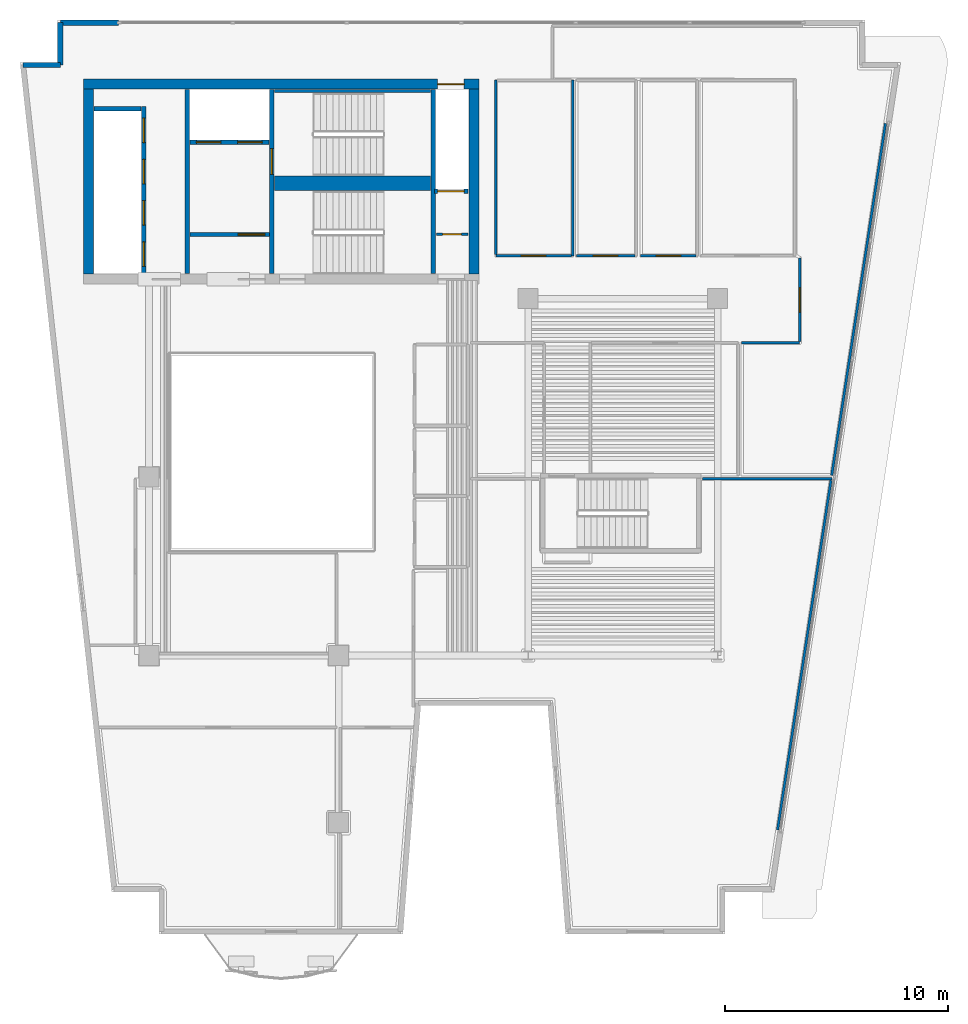
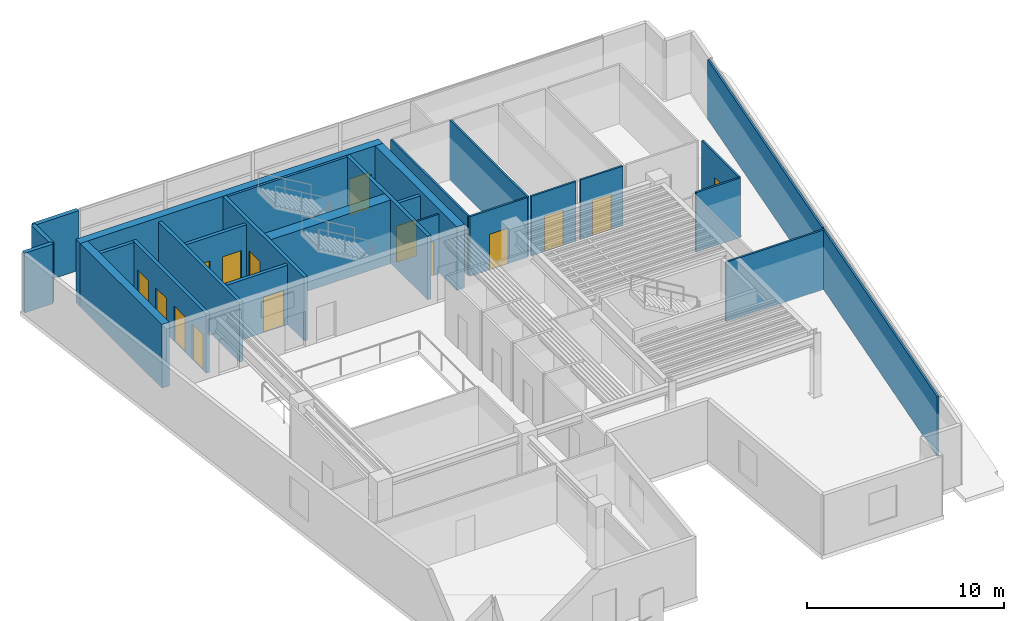
# One storey, part 5 of 8: 27 walls, 15 doors, 15 openings.
"""IFC4 building model written with IfcOpenShell, lengths in metres."""

from ifc_helpers import new_model, si_unit, direction, frame, frame_2d, origin, place, context, subcontext, project, spatial, rectangle, extrude, material, layer, layer_set, type_object, element, fill, save


model = new_model("IFC4")

# Units and contexts
model_context = context("Model", 3, precision=1e-05, world=origin(), true_north=direction((0.0, 1.0)))
body_context = subcontext(model_context, "Body", "Model", "MODEL_VIEW")
ifc_project = project(units=[si_unit("LENGTHUNIT", "METRE"), si_unit("AREAUNIT", "SQUARE_METRE"), si_unit("VOLUMEUNIT", "CUBIC_METRE"), si_unit("PLANEANGLEUNIT", "RADIAN"), si_unit("MASSUNIT", "GRAM", prefix="KILO")], contexts=[model_context])

# Site, building, storey
site_placement = place(None, origin())
site = spatial("IfcSite", under=ifc_project, at=site_placement, CompositionType="ELEMENT")
building_placement = place(site_placement, origin())
building = spatial("IfcBuilding", under=site, at=building_placement, Name="Caeloran Harvest Quay", CompositionType="ELEMENT")
storey_placement = place(building_placement, frame((0.0, 0.0, 235.10009765625)))
storey = spatial("IfcBuildingStorey", under=building, at=storey_placement, Name="L56", CompositionType="ELEMENT", Elevation=235.10009765625)

# Walls
ifc_material_1 = material(Name="Precast concrete C50/60", Category="concrete")
ifc_layer_1 = layer(ifc_material_1, 0.239990234375, Name="Precast concrete C50/60")
ifc_layer_set_1 = layer_set([ifc_layer_1], Name="Precast concrete C50/60")
wall_type_1 = type_object("IfcWallType", Name="ENV-WALL-EW-240", PredefinedType="STANDARD", material=ifc_layer_set_1)
wall_1_placement = place(storey_placement, frame((2.84423828125, 41.47998046875, 0.0), z_axis=(0.0, 0.0, 1.0), x_axis=(1.0, 0.0, 0.0)))
element("IfcWall", 1, at=wall_1_placement, inside=storey, type_object=wall_type_1, Name="L56 Exterior Precast Concrete Facade Wall 4", PredefinedType="STANDARD", context=body_context, shape_type="SweptSolid", body=[
    extrude(rectangle(XDim=1.67578125, YDim=0.239990234375, at=frame_2d((0.837890625, 0.0))), origin(), (0.0, 0.0, 1.0), 3.699951171875),
])
wall_2_placement = place(storey_placement, frame((4.52001953125, 41.47998046875, 0.0), z_axis=(0.0, 0.0, 1.0), x_axis=(0.0, 1.0, 0.0)))
element("IfcWall", 2, at=wall_2_placement, inside=storey, type_object=wall_type_1, Name="L56 Exterior Precast Concrete Facade Wall 5", PredefinedType="STANDARD", context=body_context, shape_type="SweptSolid", body=[
    extrude(rectangle(XDim=1.89990234375, YDim=0.239990234375, at=frame_2d((0.949951171875, 0.0))), origin(), (0.0, 0.0, 1.0), 3.699951171875),
])
wall_3_placement = place(storey_placement, frame((4.52001953125, 43.3798828125, 0.0), z_axis=(0.0, 0.0, 1.0), x_axis=(1.0, 0.0, 0.0)))
element("IfcWall", 3, at=wall_3_placement, inside=storey, type_object=wall_type_1, Name="L56 Exterior Facade Corner Pier Wall 6A", PredefinedType="STANDARD", context=body_context, shape_type="SweptSolid", body=[
    extrude(rectangle(XDim=2.60009765625, YDim=0.239990234375, at=frame_2d((1.300048828125, 0.0))), origin(), (0.0, 0.0, 1.0), 3.699951171875),
])

# Wall, opening, door
ifc_material_2 = material(Name="Fire-Resisting Gypsum Core Riser Partition", Category="gypsum")
ifc_layer_2 = layer(ifc_material_2, 0.10009765625, Name="Fire-Resisting Gypsum Core Riser Partition")
ifc_layer_set_2 = layer_set([ifc_layer_2], Name="Fire-Resisting Gypsum Core Riser Partition")
wall_type_2 = type_object("IfcWallType", Name="INT-WALL-PW-100", PredefinedType="PARTITIONING", material=ifc_layer_set_2)
wall_4_placement = place(storey_placement, frame((21.3798828125, 33.889892578125, 0.0), z_axis=(0.0, 0.0, 1.0), x_axis=(1.0, 0.0, 0.0)))
wall_4 = element("IfcWall", 4, at=wall_4_placement, inside=storey, type_object=wall_type_2, Name="L56 Cleaner Store Partition Wall", PredefinedType="PARTITIONING", context=body_context, shape_type="SweptSolid", body=[
    extrude(rectangle(XDim=1.420166015625, YDim=0.10009765625, at=frame_2d((0.7099609375, 0.0))), origin(), (0.0, 0.0, 1.0), 3.699951171875),
])
opening_1_placement = place(wall_4_placement, frame((0.280029296875, 0.0, 0.0)))
opening_1 = element("IfcOpeningElement", 5, at=opening_1_placement, cuts=wall_4, Name="Opening SV-01", PredefinedType="OPENING", context=body_context, shape_type="SweptSolid", body=[
    extrude(rectangle(XDim=0.85009765625, YDim=2.10009765625, at=frame_2d((0.425048828125, 1.050048828125))), frame((0.0, 0.06005859375, 0.0), z_axis=(0.0, -1.0, 0.0), x_axis=(1.0, 0.0, 0.0)), (0.0, 0.0, 1.0), 0.1201171875),
])
ifc_material_3 = material(Name="Galvanized Painted Steel", Category="steel")
door_type_1 = type_object("IfcDoorType", Name="INTDOOR-SV-01", OperationType="NOTDEFINED", PredefinedType="DOOR", material=ifc_material_3)
door_1_placement = place(opening_1_placement, origin())
door_1 = element("IfcDoor", 6, at=door_1_placement, inside=storey, type_object=door_type_1, Name="L56 Cleaner Supply Store Access Door", OperationType="SINGLE_SWING_RIGHT", OverallHeight=2.10009765625, OverallWidth=0.85009765625, PredefinedType="DOOR", context=body_context, shape_type="SweptSolid", body=[
    extrude(rectangle(XDim=0.85009765625, YDim=2.10009765625, at=frame_2d((0.425048828125, 1.050048828125))), frame((0.0, 0.02490234375, 0.0), z_axis=(0.0, -1.0, 0.0), x_axis=(1.0, 0.0, 0.0)), (0.0, 0.0, 1.0), 0.050048828125),
])
fill(opening_1, door_1)

# Wall
ifc_material_4 = material(Name="Single-Stud Acoustic Gypsum Office Partition", Category="gypsum")
ifc_layer_3 = layer(ifc_material_4, 0.112060546875, Name="Single-Stud Acoustic Gypsum Office Partition")
ifc_layer_set_3 = layer_set([ifc_layer_3], Name="Single-Stud Acoustic Gypsum Office Partition")
wall_type_3 = type_object("IfcWallType", Name="INT-WALL-PW-112", PredefinedType="PARTITIONING", material=ifc_layer_set_3)
wall_5_placement = place(storey_placement, frame((27.5, 40.800048828125, 0.0), z_axis=(0.0, 0.0, 1.0), x_axis=(0.0, -1.0, 0.0)))
element("IfcWall", 7, at=wall_5_placement, inside=storey, type_object=wall_type_3, Name="L56 Bioinformatics Briefing Lounge Partition Wall", PredefinedType="PARTITIONING", context=body_context, shape_type="SweptSolid", body=[
    extrude(rectangle(XDim=7.880126953125, YDim=0.112060546875, at=frame_2d((3.93994140625, 0.0))), origin(), (0.0, 0.0, 1.0), 3.699951171875),
])

# Wall, opening, door
wall_6_placement = place(storey_placement, frame((27.43896484375, 32.919921875, 0.0), z_axis=(0.0, 0.0, 1.0), x_axis=(-1.0, 0.0, 0.0)))
wall_6 = element("IfcWall", 8, at=wall_6_placement, inside=storey, type_object=wall_type_3, Name="L56 Bioinformatics Briefing Lounge Partition Wall", PredefinedType="PARTITIONING", context=body_context, shape_type="SweptSolid", body=[
    extrude(rectangle(XDim=3.388916015625, YDim=0.112060546875, at=frame_2d((1.6943359375, 0.0))), origin(), (0.0, 0.0, 1.0), 3.699951171875),
])
opening_2_placement = place(wall_6_placement, frame((1.14453125, 0.0, 0.0)))
opening_2 = element("IfcOpeningElement", 9, at=opening_2_placement, cuts=wall_6, Name="Opening ID-04", PredefinedType="OPENING", context=body_context, shape_type="SweptSolid", body=[
    extrude(rectangle(XDim=1.10009765625, YDim=2.199951171875, at=frame_2d((0.550048828125, 1.10009765625))), frame((0.0, 0.06591796875, 0.0), z_axis=(0.0, -1.0, 0.0), x_axis=(1.0, 0.0, 0.0)), (0.0, 0.0, 1.0), 0.132080078125),
])
ifc_material_5 = material(Name="Acoustic Walnut Veneer Executive Door", Category="wood")
door_type_2 = type_object("IfcDoorType", Name="INTDOOR-ID-04", OperationType="NOTDEFINED", PredefinedType="DOOR", material=ifc_material_5)
door_2_placement = place(opening_2_placement, origin())
door_2 = element("IfcDoor", 10, at=door_2_placement, inside=storey, type_object=door_type_2, Name="L56 Bioinformatics Briefing Lounge Access Door", OperationType="SINGLE_SWING_LEFT", OverallHeight=2.199951171875, OverallWidth=1.10009765625, PredefinedType="DOOR", context=body_context, shape_type="SweptSolid", body=[
    extrude(rectangle(XDim=1.10009765625, YDim=2.199951171875, at=frame_2d((0.550048828125, 1.10009765625))), frame((0.0, 0.02490234375, 0.0), z_axis=(0.0, -1.0, 0.0), x_axis=(1.0, 0.0, 0.0)), (0.0, 0.0, 1.0), 0.050048828125),
])
fill(opening_2, door_2)

# Wall
wall_7_placement = place(storey_placement, frame((24.050048828125, 32.98095703125, 0.0), z_axis=(0.0, 0.0, 1.0), x_axis=(0.0, 1.0, 0.0)))
element("IfcWall", 11, at=wall_7_placement, inside=storey, type_object=wall_type_3, Name="L56 Bioinformatics Briefing Lounge Partition Wall", PredefinedType="PARTITIONING", context=body_context, shape_type="SweptSolid", body=[
    extrude(rectangle(XDim=7.819091796875, YDim=0.112060546875, at=frame_2d((3.90966796875, 0.0))), origin(), (0.0, 0.0, 1.0), 3.699951171875),
])

# Wall, opening, door
wall_8_placement = place(storey_placement, frame((30.2890625, 32.919921875, 0.0), z_axis=(0.0, 0.0, 1.0), x_axis=(-1.0, 0.0, 0.0)))
wall_8 = element("IfcWall", 12, at=wall_8_placement, inside=storey, type_object=wall_type_3, Name="L56 Seed Imaging Laboratory Partition Wall", PredefinedType="PARTITIONING", context=body_context, shape_type="SweptSolid", body=[
    extrude(rectangle(XDim=2.629150390625, YDim=0.112060546875, at=frame_2d((1.314453125, 0.0))), origin(), (0.0, 0.0, 1.0), 3.699951171875),
])
opening_3_placement = place(wall_8_placement, frame((0.764404296875, 0.0, 0.0)))
opening_3 = element("IfcOpeningElement", 13, at=opening_3_placement, cuts=wall_8, Name="Opening ID-04", PredefinedType="OPENING", context=body_context, shape_type="SweptSolid", body=[
    extrude(rectangle(XDim=1.10009765625, YDim=2.199951171875, at=frame_2d((0.550048828125, 1.10009765625))), frame((0.0, 0.06591796875, 0.0), z_axis=(0.0, -1.0, 0.0), x_axis=(1.0, 0.0, 0.0)), (0.0, 0.0, 1.0), 0.132080078125),
])
door_3_placement = place(opening_3_placement, origin())
door_3 = element("IfcDoor", 14, at=door_3_placement, inside=storey, type_object=door_type_2, Name="L56 Seed Imaging Laboratory Access Door", OperationType="SINGLE_SWING_RIGHT", OverallHeight=2.199951171875, OverallWidth=1.10009765625, PredefinedType="DOOR", context=body_context, shape_type="SweptSolid", body=[
    extrude(rectangle(XDim=1.10009765625, YDim=2.199951171875, at=frame_2d((0.550048828125, 1.10009765625))), frame((0.0, 0.02490234375, 0.0), z_axis=(0.0, -1.0, 0.0), x_axis=(1.0, 0.0, 0.0)), (0.0, 0.0, 1.0), 0.050048828125),
])
fill(opening_3, door_3)

wall_9_placement = place(storey_placement, frame((33.029052734375, 32.919921875, 0.0), z_axis=(0.0, 0.0, 1.0), x_axis=(-1.0, 0.0, 0.0)))
wall_9 = element("IfcWall", 15, at=wall_9_placement, inside=storey, type_object=wall_type_3, Name="L56 Genomics Seminar West Room Partition Wall", PredefinedType="PARTITIONING", context=body_context, shape_type="SweptSolid", body=[
    extrude(rectangle(XDim=2.47900390625, YDim=0.112060546875, at=frame_2d((1.239501953125, 0.0))), origin(), (0.0, 0.0, 1.0), 3.699951171875),
])
opening_4_placement = place(wall_9_placement, frame((0.689453125, 0.0, 0.0)))
opening_4 = element("IfcOpeningElement", 16, at=opening_4_placement, cuts=wall_9, Name="Opening ID-04", PredefinedType="OPENING", context=body_context, shape_type="SweptSolid", body=[
    extrude(rectangle(XDim=1.10009765625, YDim=2.199951171875, at=frame_2d((0.550048828125, 1.10009765625))), frame((0.0, 0.06591796875, 0.0), z_axis=(0.0, -1.0, 0.0), x_axis=(1.0, 0.0, 0.0)), (0.0, 0.0, 1.0), 0.132080078125),
])
door_4_placement = place(opening_4_placement, origin())
door_4 = element("IfcDoor", 17, at=door_4_placement, inside=storey, type_object=door_type_2, Name="L56 Genomics Seminar West Room Access Door", OperationType="SINGLE_SWING_LEFT", OverallHeight=2.199951171875, OverallWidth=1.10009765625, PredefinedType="DOOR", context=body_context, shape_type="SweptSolid", body=[
    extrude(rectangle(XDim=1.10009765625, YDim=2.199951171875, at=frame_2d((0.550048828125, 1.10009765625))), frame((0.0, 0.02490234375, 0.0), z_axis=(0.0, -1.0, 0.0), x_axis=(1.0, 0.0, 0.0)), (0.0, 0.0, 1.0), 0.050048828125),
])
fill(opening_4, door_4)

# Walls
wall_10_placement = place(storey_placement, frame((33.310791015625, 22.919921875, 0.0), z_axis=(0.0, 0.0, 1.0), x_axis=(1.0, 0.0, 0.0)))
element("IfcWall", 18, at=wall_10_placement, inside=storey, type_object=wall_type_3, Name="Material Testing Laboratory Partition Wall", PredefinedType="PARTITIONING", context=body_context, shape_type="SweptSolid", body=[
    extrude(rectangle(XDim=5.8173828125, YDim=0.112060546875, at=frame_2d((2.90869140625, 0.0))), origin(), (0.0, 0.0, 1.0), 3.699951171875),
])
wall_11_placement = place(storey_placement, frame((39.083740234375, 22.85888671875, 0.0), z_axis=(0.0, 0.0, 1.0), x_axis=(-0.151051087355, -0.988525957681, 0.0)))
element("IfcWall", 19, at=wall_11_placement, inside=storey, type_object=wall_type_3, Name="Material Testing Laboratory Partition Wall", PredefinedType="PARTITIONING", context=body_context, shape_type="SweptSolid", body=[
    extrude(rectangle(XDim=15.865478515625, YDim=0.112060546875, at=frame_2d((7.9326171875, 0.0))), origin(), (0.0, 0.0, 1.0), 3.699951171875),
])
wall_12_placement = place(storey_placement, frame((41.529052734375, 38.86669921875, 0.0), z_axis=(0.0, 0.0, 1.0), x_axis=(-0.151041582551, -0.98852741001, 0.0)))
element("IfcWall", 20, at=wall_12_placement, inside=storey, type_object=wall_type_3, Name="Sawtooth Terrace Design Studio Office 7 Partition Wall", PredefinedType="PARTITIONING", context=body_context, shape_type="SweptSolid", body=[
    extrude(rectangle(XDim=15.9697265625, YDim=0.112060546875, at=frame_2d((7.98486328125, 0.0))), origin(), (0.0, 0.0, 1.0), 3.699951171875),
])
wall_13_placement = place(storey_placement, frame((35.080078125, 29.02001953125, 0.0), z_axis=(0.0, 0.0, 1.0), x_axis=(1.0, 0.0, 0.0)))
element("IfcWall", 21, at=wall_13_placement, inside=storey, type_object=wall_type_3, Name="Sawtooth Terrace Design Studio Office 7 Partition Wall", PredefinedType="PARTITIONING", context=body_context, shape_type="SweptSolid", body=[
    extrude(rectangle(XDim=2.599853515625, YDim=0.112060546875, at=frame_2d((1.2998046875, 0.0))), origin(), (0.0, 0.0, 1.0), 3.699951171875),
])

# Wall, opening, door
wall_14_placement = place(storey_placement, frame((37.679931640625, 29.0810546875, 0.0), z_axis=(0.0, 0.0, 1.0), x_axis=(0.0, 1.0, 0.0)))
wall_14 = element("IfcWall", 22, at=wall_14_placement, inside=storey, type_object=wall_type_3, Name="Sawtooth Terrace Design Studio Office 7 Partition Wall", PredefinedType="PARTITIONING", context=body_context, shape_type="SweptSolid", body=[
    extrude(rectangle(XDim=3.741943359375, YDim=0.112060546875, at=frame_2d((1.87109375, 0.0))), origin(), (0.0, 0.0, 1.0), 3.699951171875),
])
opening_5_placement = place(wall_14_placement, frame((1.321044921875, 0.0, 0.0)))
opening_5 = element("IfcOpeningElement", 23, at=opening_5_placement, cuts=wall_14, Name="Opening ID-04", PredefinedType="OPENING", context=body_context, shape_type="SweptSolid", body=[
    extrude(rectangle(XDim=1.10009765625, YDim=2.199951171875, at=frame_2d((0.550048828125, 1.10009765625))), frame((0.0, 0.06591796875, 0.0), z_axis=(0.0, -1.0, 0.0), x_axis=(1.0, 0.0, 0.0)), (0.0, 0.0, 1.0), 0.132080078125),
])
door_5_placement = place(opening_5_placement, origin())
door_5 = element("IfcDoor", 24, at=door_5_placement, inside=storey, type_object=door_type_2, Name="Sawtooth Terrace Design Studio Office 7 Access Door", OperationType="SINGLE_SWING_RIGHT", OverallHeight=2.199951171875, OverallWidth=1.10009765625, PredefinedType="DOOR", context=body_context, shape_type="SweptSolid", body=[
    extrude(rectangle(XDim=1.10009765625, YDim=2.199951171875, at=frame_2d((0.550048828125, 1.10009765625))), frame((0.0, 0.02490234375, 0.0), z_axis=(0.0, -1.0, 0.0), x_axis=(1.0, 0.0, 0.0)), (0.0, 0.0, 1.0), 0.050048828125),
])
fill(opening_5, door_5)

# Wall, openings, doors
ifc_material_6 = material(Name="Concrete C50/60", Category="concrete")
ifc_layer_4 = layer(ifc_material_6, 0.199951171875, Name="Concrete C50/60")
ifc_layer_set_4 = layer_set([ifc_layer_4], Name="Concrete C50/60")
wall_type_4 = type_object("IfcWallType", Name="INT-WALL-SW-200", PredefinedType="PARTITIONING", material=ifc_layer_set_4)
wall_15_placement = place(storey_placement, frame((8.260009765625, 32.1201171875, 0.0), z_axis=(0.0, 0.0, 1.0), x_axis=(0.0, 1.0, 0.0)))
wall_15 = element("IfcWall", 25, at=wall_15_placement, inside=storey, type_object=wall_type_4, Name="L56 Bank 3 Lift Shaft Wall", PredefinedType="PARTITIONING", context=body_context, shape_type="SweptSolid", body=[
    extrude(rectangle(XDim=7.5, YDim=0.199951171875, at=frame_2d((3.75, 0.0))), origin(), (0.0, 0.0, 1.0), 3.699951171875),
])
opening_6_placement = place(wall_15_placement, frame((0.330078125, 0.0, 0.0)))
opening_6 = element("IfcOpeningElement", 26, at=opening_6_placement, cuts=wall_15, Name="Opening LD-01", PredefinedType="OPENING", context=body_context, shape_type="SweptSolid", body=[
    extrude(rectangle(XDim=1.10009765625, YDim=2.199951171875, at=frame_2d((0.550048828125, 1.10009765625))), frame((0.0, 0.10986328125, 0.0), z_axis=(0.0, -1.0, 0.0), x_axis=(1.0, 0.0, 0.0)), (0.0, 0.0, 1.0), 0.219970703125),
])
opening_7_placement = place(wall_15_placement, frame((2.179931640625, 0.0, 0.0)))
opening_7 = element("IfcOpeningElement", 27, at=opening_7_placement, cuts=wall_15, Name="Opening LD-01", PredefinedType="OPENING", context=body_context, shape_type="SweptSolid", body=[
    extrude(rectangle(XDim=1.10009765625, YDim=2.199951171875, at=frame_2d((0.550048828125, 1.10009765625))), frame((0.0, 0.10986328125, 0.0), z_axis=(0.0, -1.0, 0.0), x_axis=(1.0, 0.0, 0.0)), (0.0, 0.0, 1.0), 0.219970703125),
])
opening_8_placement = place(wall_15_placement, frame((4.030029296875, 0.0, 0.0)))
opening_8 = element("IfcOpeningElement", 28, at=opening_8_placement, cuts=wall_15, Name="Opening LD-01", PredefinedType="OPENING", context=body_context, shape_type="SweptSolid", body=[
    extrude(rectangle(XDim=1.10009765625, YDim=2.199951171875, at=frame_2d((0.550048828125, 1.10009765625))), frame((0.0, 0.10986328125, 0.0), z_axis=(0.0, -1.0, 0.0), x_axis=(1.0, 0.0, 0.0)), (0.0, 0.0, 1.0), 0.219970703125),
])
opening_9_placement = place(wall_15_placement, frame((5.8798828125, 0.0, 0.0)))
opening_9 = element("IfcOpeningElement", 29, at=opening_9_placement, cuts=wall_15, Name="Opening LD-01", PredefinedType="OPENING", context=body_context, shape_type="SweptSolid", body=[
    extrude(rectangle(XDim=1.10009765625, YDim=2.199951171875, at=frame_2d((0.550048828125, 1.10009765625))), frame((0.0, 0.10986328125, 0.0), z_axis=(0.0, -1.0, 0.0), x_axis=(1.0, 0.0, 0.0)), (0.0, 0.0, 1.0), 0.219970703125),
])
ifc_material_7 = material(Name="Stainless Steel Grade 316", Category="steel")
door_type_3 = type_object("IfcDoorType", Name="INTDOOR-LD-01", OperationType="NOTDEFINED", PredefinedType="DOOR", material=ifc_material_7)
door_6_placement = place(opening_6_placement, origin())
door_6 = element("IfcDoor", 30, at=door_6_placement, inside=storey, type_object=door_type_3, Name="Lift P3-1 Sliding Landing Door (L56)", OperationType="DOUBLE_DOOR_SLIDING", OverallHeight=2.199951171875, OverallWidth=1.10009765625, PredefinedType="DOOR", context=body_context, shape_type="SweptSolid", body=[
    extrude(rectangle(XDim=1.10009765625, YDim=2.199951171875, at=frame_2d((0.550048828125, 1.10009765625))), frame((0.0, 0.02490234375, 0.0), z_axis=(0.0, -1.0, 0.0), x_axis=(1.0, 0.0, 0.0)), (0.0, 0.0, 1.0), 0.050048828125),
])
fill(opening_6, door_6)
door_7_placement = place(opening_7_placement, origin())
door_7 = element("IfcDoor", 31, at=door_7_placement, inside=storey, type_object=door_type_3, Name="Lift P3-2 Sliding Landing Door (L56)", OperationType="DOUBLE_DOOR_SLIDING", OverallHeight=2.199951171875, OverallWidth=1.10009765625, PredefinedType="DOOR", context=body_context, shape_type="SweptSolid", body=[
    extrude(rectangle(XDim=1.10009765625, YDim=2.199951171875, at=frame_2d((0.550048828125, 1.10009765625))), frame((0.0, 0.02490234375, 0.0), z_axis=(0.0, -1.0, 0.0), x_axis=(1.0, 0.0, 0.0)), (0.0, 0.0, 1.0), 0.050048828125),
])
fill(opening_7, door_7)
door_8_placement = place(opening_8_placement, origin())
door_8 = element("IfcDoor", 32, at=door_8_placement, inside=storey, type_object=door_type_3, Name="Lift P3-3 Sliding Landing Door (L56)", OperationType="DOUBLE_DOOR_SLIDING", OverallHeight=2.199951171875, OverallWidth=1.10009765625, PredefinedType="DOOR", context=body_context, shape_type="SweptSolid", body=[
    extrude(rectangle(XDim=1.10009765625, YDim=2.199951171875, at=frame_2d((0.550048828125, 1.10009765625))), frame((0.0, 0.02490234375, 0.0), z_axis=(0.0, -1.0, 0.0), x_axis=(1.0, 0.0, 0.0)), (0.0, 0.0, 1.0), 0.050048828125),
])
fill(opening_8, door_8)
door_9_placement = place(opening_9_placement, origin())
door_9 = element("IfcDoor", 33, at=door_9_placement, inside=storey, type_object=door_type_3, Name="Lift P3-4 Sliding Landing Door (L56)", OperationType="DOUBLE_DOOR_SLIDING", OverallHeight=2.199951171875, OverallWidth=1.10009765625, PredefinedType="DOOR", context=body_context, shape_type="SweptSolid", body=[
    extrude(rectangle(XDim=1.10009765625, YDim=2.199951171875, at=frame_2d((0.550048828125, 1.10009765625))), frame((0.0, 0.02490234375, 0.0), z_axis=(0.0, -1.0, 0.0), x_axis=(1.0, 0.0, 0.0)), (0.0, 0.0, 1.0), 0.050048828125),
])
fill(opening_9, door_9)

# Walls
wall_16_placement = place(storey_placement, frame((6.02001953125, 39.52001953125, 0.0), z_axis=(0.0, 0.0, 1.0), x_axis=(1.0, 0.0, 0.0)))
element("IfcWall", 34, at=wall_16_placement, inside=storey, type_object=wall_type_4, Name="L56 Bank 3 Lift Shaft North End Wall", PredefinedType="PARTITIONING", context=body_context, shape_type="SweptSolid", body=[
    extrude(rectangle(XDim=2.119873046875, YDim=0.199951171875, at=frame_2d((1.06005859375, 0.0))), origin(), (0.0, 0.0, 1.0), 3.699951171875),
])
wall_17_placement = place(storey_placement, frame((10.219970703125, 32.1201171875, 0.0), z_axis=(0.0, 0.0, 1.0), x_axis=(0.0, 1.0, 0.0)))
element("IfcWall", 35, at=wall_17_placement, inside=storey, type_object=wall_type_4, Name="L56 Core Lobby Compartment Wall", PredefinedType="PARTITIONING", context=body_context, shape_type="SweptSolid", body=[
    extrude(rectangle(XDim=8.259765625, YDim=0.199951171875, at=frame_2d((4.1298828125, 0.0))), origin(), (0.0, 0.0, 1.0), 3.699951171875),
])

# Wall, openings, doors
wall_18_placement = place(storey_placement, frame((10.340087890625, 38.02001953125, 0.0), z_axis=(0.0, 0.0, 1.0), x_axis=(1.0, 0.0, 0.0)))
wall_18 = element("IfcWall", 36, at=wall_18_placement, inside=storey, type_object=wall_type_4, Name="L56 Firefighting Lift Shaft Wall", PredefinedType="PARTITIONING", context=body_context, shape_type="SweptSolid", body=[
    extrude(rectangle(XDim=3.539794921875, YDim=0.199951171875, at=frame_2d((1.77001953125, 0.0))), origin(), (0.0, 0.0, 1.0), 3.699951171875),
])
opening_10_placement = place(wall_18_placement, frame((0.284912109375, 0.0, 0.0)))
opening_10 = element("IfcOpeningElement", 37, at=opening_10_placement, cuts=wall_18, Name="Opening LD-01", PredefinedType="OPENING", context=body_context, shape_type="SweptSolid", body=[
    extrude(rectangle(XDim=1.10009765625, YDim=2.199951171875, at=frame_2d((0.550048828125, 1.10009765625))), frame((0.0, 0.10986328125, 0.0), z_axis=(0.0, -1.0, 0.0), x_axis=(1.0, 0.0, 0.0)), (0.0, 0.0, 1.0), 0.219970703125),
])
opening_11_placement = place(wall_18_placement, frame((2.135009765625, 0.0, 0.0)))
opening_11 = element("IfcOpeningElement", 38, at=opening_11_placement, cuts=wall_18, Name="Opening LD-01", PredefinedType="OPENING", context=body_context, shape_type="SweptSolid", body=[
    extrude(rectangle(XDim=1.10009765625, YDim=2.199951171875, at=frame_2d((0.550048828125, 1.10009765625))), frame((0.0, 0.10986328125, 0.0), z_axis=(0.0, -1.0, 0.0), x_axis=(1.0, 0.0, 0.0)), (0.0, 0.0, 1.0), 0.219970703125),
])
door_10_placement = place(opening_10_placement, origin())
door_10 = element("IfcDoor", 39, at=door_10_placement, inside=storey, type_object=door_type_3, Name="Lift FF-1 Sliding Landing Door (L56)", OperationType="DOUBLE_DOOR_SLIDING", OverallHeight=2.199951171875, OverallWidth=1.10009765625, PredefinedType="DOOR", context=body_context, shape_type="SweptSolid", body=[
    extrude(rectangle(XDim=1.10009765625, YDim=2.199951171875, at=frame_2d((0.550048828125, 1.10009765625))), frame((0.0, 0.02490234375, 0.0), z_axis=(0.0, -1.0, 0.0), x_axis=(1.0, 0.0, 0.0)), (0.0, 0.0, 1.0), 0.050048828125),
])
fill(opening_10, door_10)
door_11_placement = place(opening_11_placement, origin())
door_11 = element("IfcDoor", 40, at=door_11_placement, inside=storey, type_object=door_type_3, Name="Lift FF-2 Sliding Landing Door (L56)", OperationType="DOUBLE_DOOR_SLIDING", OverallHeight=2.199951171875, OverallWidth=1.10009765625, PredefinedType="DOOR", context=body_context, shape_type="SweptSolid", body=[
    extrude(rectangle(XDim=1.10009765625, YDim=2.199951171875, at=frame_2d((0.550048828125, 1.10009765625))), frame((0.0, 0.02490234375, 0.0), z_axis=(0.0, -1.0, 0.0), x_axis=(1.0, 0.0, 0.0)), (0.0, 0.0, 1.0), 0.050048828125),
])
fill(opening_11, door_11)

# Wall, opening, door
wall_19_placement = place(storey_placement, frame((10.340087890625, 33.8798828125, 0.0), z_axis=(0.0, 0.0, 1.0), x_axis=(1.0, 0.0, 0.0)))
wall_19 = element("IfcWall", 41, at=wall_19_placement, inside=storey, type_object=wall_type_4, Name="L56 Firefighting Lift Lobby Enclosure Wall", PredefinedType="PARTITIONING", context=body_context, shape_type="SweptSolid", body=[
    extrude(rectangle(XDim=3.559814453125, YDim=0.199951171875, at=frame_2d((1.77978515625, 0.0))), origin(), (0.0, 0.0, 1.0), 3.699951171875),
])
opening_12_placement = place(wall_19_placement, frame((2.14990234375, 0.0, 0.0)))
opening_12 = element("IfcOpeningElement", 42, at=opening_12_placement, cuts=wall_19, Name="Opening FD-01", PredefinedType="OPENING", context=body_context, shape_type="SweptSolid", body=[
    extrude(rectangle(XDim=1.199951171875, YDim=2.199951171875, at=frame_2d((0.60009765625, 1.10009765625))), frame((0.0, 0.10986328125, 0.0), z_axis=(0.0, -1.0, 0.0), x_axis=(1.0, 0.0, 0.0)), (0.0, 0.0, 1.0), 0.219970703125),
])
ifc_material_8 = material(Name="Steel", Category="steel")
door_type_4 = type_object("IfcDoorType", Name="INTDOOR-FD-01", OperationType="NOTDEFINED", PredefinedType="DOOR", material=ifc_material_8)
door_12_placement = place(opening_12_placement, origin())
door_12 = element("IfcDoor", 43, at=door_12_placement, inside=storey, type_object=door_type_4, Name="L56 Firefighting Lift Lobby Smoke-Seal Fire Door", OperationType="SINGLE_SWING_LEFT", OverallHeight=2.199951171875, OverallWidth=1.199951171875, PredefinedType="DOOR", context=body_context, shape_type="SweptSolid", body=[
    extrude(rectangle(XDim=1.199951171875, YDim=2.199951171875, at=frame_2d((0.60009765625, 1.10009765625))), frame((0.0, 0.02490234375, 0.0), z_axis=(0.0, -1.0, 0.0), x_axis=(1.0, 0.0, 0.0)), (0.0, 0.0, 1.0), 0.050048828125),
])
fill(opening_12, door_12)

wall_20_placement = place(storey_placement, frame((21.300048828125, 35.820068359375, 0.0), z_axis=(0.0, 0.0, 1.0), x_axis=(1.0, 0.0, 0.0)))
wall_20 = element("IfcWall", 44, at=wall_20_placement, inside=storey, type_object=wall_type_4, Name="L56 Service Lift SV-2 Shaft Wall", PredefinedType="PARTITIONING", context=body_context, shape_type="SweptSolid", body=[
    extrude(rectangle(XDim=1.5, YDim=0.199951171875, at=frame_2d((0.75, 0.0))), origin(), (0.0, 0.0, 1.0), 3.699951171875),
])
opening_13_placement = place(wall_20_placement, frame((0.14501953125, 0.0, 0.0)))
opening_13 = element("IfcOpeningElement", 45, at=opening_13_placement, cuts=wall_20, Name="Opening LD-02", PredefinedType="OPENING", context=body_context, shape_type="SweptSolid", body=[
    extrude(rectangle(XDim=1.179931640625, YDim=2.25, at=frame_2d((0.58984375, 1.125))), frame((0.0, 0.10986328125, 0.0), z_axis=(0.0, -1.0, 0.0), x_axis=(1.0, 0.0, 0.0)), (0.0, 0.0, 1.0), 0.219970703125),
])
door_type_5 = type_object("IfcDoorType", Name="INTDOOR-LD-02", OperationType="NOTDEFINED", PredefinedType="DOOR", material=ifc_material_7)
door_13_placement = place(opening_13_placement, origin())
door_13 = element("IfcDoor", 46, at=door_13_placement, inside=storey, type_object=door_type_5, Name="Lift SV-2 Sliding Landing Door (L56)", OperationType="DOUBLE_DOOR_SLIDING", OverallHeight=2.25, OverallWidth=1.179931640625, PredefinedType="DOOR", context=body_context, shape_type="SweptSolid", body=[
    extrude(rectangle(XDim=1.179931640625, YDim=2.25, at=frame_2d((0.58984375, 1.125))), frame((0.0, 0.02490234375, 0.0), z_axis=(0.0, -1.0, 0.0), x_axis=(1.0, 0.0, 0.0)), (0.0, 0.0, 1.0), 0.050048828125),
])
fill(opening_13, door_13)

ifc_material_9 = material(Name="Concrete C60/75", Category="concrete")
ifc_layer_5 = layer(ifc_material_9, 0.449951171875, Name="Concrete C60/75")
ifc_layer_set_5 = layer_set([ifc_layer_5], Name="Concrete C60/75")
wall_type_5 = type_object("IfcWallType", Name="STR-WALL-CW-450", PredefinedType="SHEAR", material=ifc_layer_set_5)
wall_21_placement = place(storey_placement, frame((5.550048828125, 40.625, 0.0), z_axis=(0.0, 0.0, 1.0), x_axis=(1.0, 0.0, 0.0)))
wall_21 = element("IfcWall", 47, at=wall_21_placement, inside=storey, type_object=wall_type_5, Name="L56 Rear Core Shear Wall N", PredefinedType="SHEAR", context=body_context, shape_type="SweptSolid", body=[
    extrude(rectangle(XDim=17.75, YDim=0.449951171875, at=frame_2d((8.875, 0.0))), origin(), (0.0, 0.0, 1.0), 3.949951171875),
])
opening_14_placement = place(wall_21_placement, frame((15.89501953125, 0.0, 0.0)))
opening_14 = element("IfcOpeningElement", 48, at=opening_14_placement, cuts=wall_21, Name="Opening LD-02", PredefinedType="OPENING", context=body_context, shape_type="SweptSolid", body=[
    extrude(rectangle(XDim=1.179931640625, YDim=2.25, at=frame_2d((0.58984375, 1.125))), frame((0.0, 0.23486328125, 0.0), z_axis=(0.0, -1.0, 0.0), x_axis=(1.0, 0.0, 0.0)), (0.0, 0.0, 1.0), 0.469970703125),
])
door_14_placement = place(opening_14_placement, origin())
door_14 = element("IfcDoor", 49, at=door_14_placement, inside=storey, type_object=door_type_5, Name="Lift SV-1 Sliding Landing Door (L56)", OperationType="DOUBLE_DOOR_SLIDING", OverallHeight=2.25, OverallWidth=1.179931640625, PredefinedType="DOOR", context=body_context, shape_type="SweptSolid", body=[
    extrude(rectangle(XDim=1.179931640625, YDim=2.25, at=frame_2d((0.58984375, 1.125))), frame((0.0, 0.02490234375, 0.0), z_axis=(0.0, -1.0, 0.0), x_axis=(1.0, 0.0, 0.0)), (0.0, 0.0, 1.0), 0.050048828125),
])
fill(opening_14, door_14)

# Walls
for number, where, z_axis, x_axis, name in (
    (50, (5.77490234375, 32.10009765625, 0.0), (0.0, 0.0, 1.0), (0.0, 1.0, 0.0), "L56 Rear Core Shear Wall W"),
    (51, (23.074951171875, 32.10009765625, 0.0), (0.0, 0.0, 1.0), (0.0, 1.0, 0.0), "L56 Rear Core Shear Wall E"),
):
    element("IfcWall", number, at=place(storey_placement, frame(where, z_axis=z_axis, x_axis=x_axis)), inside=storey, type_object=wall_type_5, Name=name, PredefinedType="SHEAR", context=body_context, shape_type="SweptSolid", body=[
        extrude(rectangle(XDim=8.2998046875, YDim=0.449951171875, at=frame_2d((4.14990234375, 0.0))), origin(), (0.0, 0.0, 1.0), 3.949951171875),
    ])
ifc_layer_6 = layer(ifc_material_9, 0.64990234375, Name="Concrete C60/75")
ifc_layer_set_6 = layer_set([ifc_layer_6], Name="Concrete C60/75")
wall_type_6 = type_object("IfcWallType", Name="STR-WALL-CW-650", PredefinedType="SHEAR", material=ifc_layer_set_6)
wall_22_placement = place(storey_placement, frame((14.1201171875, 36.175048828125, 0.0), z_axis=(0.0, 0.0, 1.0), x_axis=(1.0, 0.0, 0.0)))
element("IfcWall", 52, at=wall_22_placement, inside=storey, type_object=wall_type_6, Name="L56 Core Stairs Dividing Shear Wall", PredefinedType="SHEAR", context=body_context, shape_type="SweptSolid", body=[
    extrude(rectangle(XDim=7.009765625, YDim=0.64990234375, at=frame_2d((3.5048828125, 0.0))), origin(), (0.0, 0.0, 1.0), 3.949951171875),
])
ifc_layer_7 = layer(ifc_material_9, 0.139892578125, Name="Concrete C60/75")
ifc_layer_set_7 = layer_set([ifc_layer_7], Name="Concrete C60/75")
wall_type_7 = type_object("IfcWallType", Name="STR-WALL-SW-140", PredefinedType="SHEAR", material=ifc_layer_set_7)
wall_23_placement = place(storey_placement, frame((14.1201171875, 40.320068359375, 0.0), z_axis=(0.0, 0.0, 1.0), x_axis=(1.0, 0.0, 0.0)))
element("IfcWall", 53, at=wall_23_placement, inside=storey, type_object=wall_type_7, Name="L56 Core Stair ST-C1 North Bearing Shear Wall", PredefinedType="SHEAR", context=body_context, shape_type="SweptSolid", body=[
    extrude(rectangle(XDim=7.009765625, YDim=0.139892578125, at=frame_2d((3.5048828125, 0.0))), origin(), (0.0, 0.0, 1.0), 3.949951171875),
])

# Wall, opening, door
ifc_layer_8 = layer(ifc_material_9, 0.199951171875, Name="Concrete C60/75")
ifc_layer_set_8 = layer_set([ifc_layer_8], Name="Concrete C60/75")
wall_type_8 = type_object("IfcWallType", Name="STR-WALL-SW-200", PredefinedType="SHEAR", material=ifc_layer_set_8)
wall_24_placement = place(storey_placement, frame((14.0, 32.1201171875, 0.0), z_axis=(0.0, 0.0, 1.0), x_axis=(0.0, 1.0, 0.0)))
wall_24 = element("IfcWall", 54, at=wall_24_placement, inside=storey, type_object=wall_type_8, Name="L56 Core Stair Shaft West Shear Wall", PredefinedType="SHEAR", context=body_context, shape_type="SweptSolid", body=[
    extrude(rectangle(XDim=8.259765625, YDim=0.199951171875, at=frame_2d((4.1298828125, 0.0))), origin(), (0.0, 0.0, 1.0), 3.949951171875),
])
opening_15_placement = place(wall_24_placement, frame((4.4599609375, 0.0, 0.0)))
opening_15 = element("IfcOpeningElement", 55, at=opening_15_placement, cuts=wall_24, Name="Opening SD-01", PredefinedType="OPENING", context=body_context, shape_type="SweptSolid", body=[
    extrude(rectangle(XDim=1.14990234375, YDim=2.199951171875, at=frame_2d((0.574951171875, 1.10009765625))), frame((0.0, 0.10986328125, 0.0), z_axis=(0.0, -1.0, 0.0), x_axis=(1.0, 0.0, 0.0)), (0.0, 0.0, 1.0), 0.219970703125),
])
door_type_6 = type_object("IfcDoorType", Name="INTDOOR-SD-01", OperationType="NOTDEFINED", PredefinedType="DOOR", material=ifc_material_8)
door_15_placement = place(opening_15_placement, origin())
door_15 = element("IfcDoor", 56, at=door_15_placement, inside=storey, type_object=door_type_6, Name="L56 Protected Stair ST-C1 Exit Door", OperationType="SINGLE_SWING_LEFT", OverallHeight=2.199951171875, OverallWidth=1.14990234375, PredefinedType="DOOR", context=body_context, shape_type="SweptSolid", body=[
    extrude(rectangle(XDim=1.14990234375, YDim=2.199951171875, at=frame_2d((0.574951171875, 1.10009765625))), frame((0.0, 0.02490234375, 0.0), z_axis=(0.0, -1.0, 0.0), x_axis=(1.0, 0.0, 0.0)), (0.0, 0.0, 1.0), 0.050048828125),
])
fill(opening_15, door_15)

# Wall
wall_25_placement = place(storey_placement, frame((21.25, 32.1201171875, 0.0), z_axis=(0.0, 0.0, 1.0), x_axis=(0.0, 1.0, 0.0)))
element("IfcWall", 57, at=wall_25_placement, inside=storey, type_object=wall_type_8, Name="L56 Core Stair Shaft East Shear Wall", PredefinedType="SHEAR", context=body_context, shape_type="SweptSolid", body=[
    extrude(rectangle(XDim=8.259765625, YDim=0.199951171875, at=frame_2d((4.1298828125, 0.0))), origin(), (0.0, 0.0, 1.0), 3.949951171875),
])

save(model, "model.ifc")
